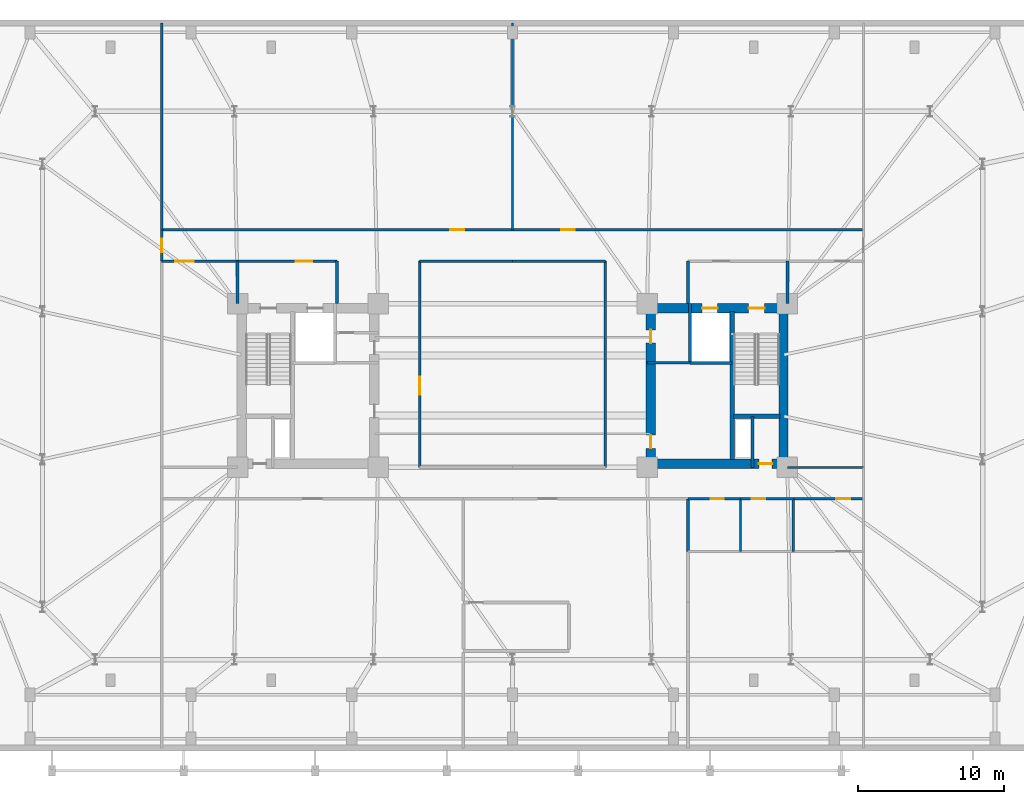
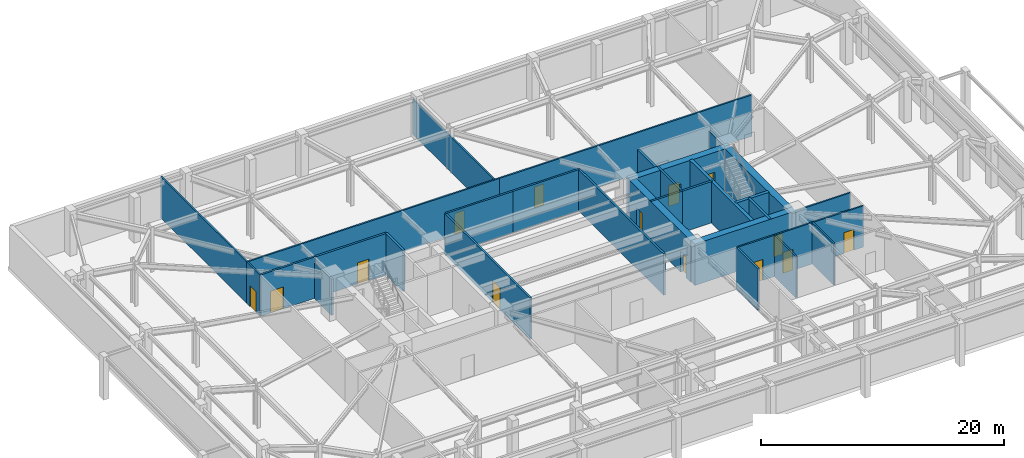
# One storey, part 10 of 14: 32 walls, 14 doors, 14 openings.
"""IFC4 building model written with IfcOpenShell, lengths in metres."""

from ifc_helpers import new_model, si_unit, direction, frame, frame_2d, origin, place, context, subcontext, project, spatial, rectangle, extrude, material, layer, layer_set, type_object, element, fill, save


model = new_model("IFC4")

# Units and contexts
model_context = context("Model", 3, precision=1e-05, world=origin(), true_north=direction((0.0, 1.0)))
body_context = subcontext(model_context, "Body", "Model", "MODEL_VIEW")
ifc_project = project(units=[si_unit("LENGTHUNIT", "METRE"), si_unit("AREAUNIT", "SQUARE_METRE"), si_unit("VOLUMEUNIT", "CUBIC_METRE"), si_unit("PLANEANGLEUNIT", "RADIAN"), si_unit("MASSUNIT", "GRAM", prefix="KILO")], contexts=[model_context])

# Site, building, storey
site_placement = place(None, origin())
site = spatial("IfcSite", under=ifc_project, at=site_placement, CompositionType="ELEMENT")
building_placement = place(site_placement, origin())
building = spatial("IfcBuilding", under=site, at=building_placement, Name="Qobustan Lattice House", CompositionType="ELEMENT")
storey_placement = place(building_placement, frame((0.0, 0.0, -4.5)))
storey = spatial("IfcBuildingStorey", under=building, at=storey_placement, Name="B01", CompositionType="ELEMENT", Elevation=-4.5)

# Wall, openings, doors
ifc_material_1 = material(Name="Concrete C60/75", Category="concrete")
ifc_layer_1 = layer(ifc_material_1, 0.639892578125)
ifc_layer_set_1 = layer_set([ifc_layer_1], Name="Concrete C60/75")
wall_type_1 = type_object("IfcWallType", Name="WAL-CORE-640", PredefinedType="SHEAR", material=ifc_layer_set_1)
wall_1_placement = place(storey_placement, frame((9.199951171875, 5.280029296875, 0.0), z_axis=(0.0, 0.0, 1.0), x_axis=(1.0, 0.0, 0.0)))
wall_1 = element("IfcWall", 1, at=wall_1_placement, inside=storey, type_object=wall_type_1, Name="B01 split-core shear wall CE-N", PredefinedType="SHEAR", context=body_context, shape_type="SweptSolid", body=[
    extrude(rectangle(XDim=9.60009765625, YDim=0.639892578125, at=frame_2d((4.800048828125, 0.0))), origin(), (0.0, 0.0, 1.0), 4.159912109375),
])
opening_1_placement = place(wall_1_placement, frame((6.949951171875, 0.0, 0.0)))
opening_1 = element("IfcOpeningElement", 2, at=opening_1_placement, cuts=wall_1, Name="Opening SD-01", PredefinedType="OPENING", context=body_context, shape_type="SweptSolid", body=[
    extrude(rectangle(XDim=1.10009765625, YDim=2.14990234375, at=frame_2d((0.550048828125, 1.074951171875))), frame((0.0, 0.329833984375, 0.0), z_axis=(0.0, -1.0, 0.0), x_axis=(1.0, 0.0, 0.0)), (0.0, 0.0, 1.0), 0.659912109375),
])
opening_2_placement = place(wall_1_placement, frame((3.77490234375, 0.0, 0.0)))
opening_2 = element("IfcOpeningElement", 3, at=opening_2_placement, cuts=wall_1, Name="Opening LD-01", PredefinedType="OPENING", context=body_context, shape_type="SweptSolid", body=[
    extrude(rectangle(XDim=1.050048828125, YDim=2.10009765625, at=frame_2d((0.52490234375, 1.050048828125))), frame((0.0, 0.329833984375, 0.0), z_axis=(0.0, -1.0, 0.0), x_axis=(1.0, 0.0, 0.0)), (0.0, 0.0, 1.0), 0.659912109375),
])
ifc_material_2 = material(Name="Persian walnut timber and steel frame door", Category="steel")
door_type_1 = type_object("IfcDoorType", Name="DOR-LIFT-LD-1050x2100", OperationType="NOTDEFINED", PredefinedType="DOOR", material=ifc_material_2)
door_1_placement = place(opening_2_placement, origin())
door_1 = element("IfcDoor", 4, at=door_1_placement, inside=storey, type_object=door_type_1, Name="B01 firefighting lift FF-E landing door", OperationType="DOUBLE_DOOR_SLIDING", OverallHeight=2.10009765625, OverallWidth=1.050048828125, PredefinedType="DOOR", context=body_context, shape_type="SweptSolid", body=[
    extrude(rectangle(XDim=1.050048828125, YDim=2.10009765625, at=frame_2d((0.52490234375, 1.050048828125))), frame((0.0, 0.02490234375, 0.0), z_axis=(0.0, -1.0, 0.0), x_axis=(1.0, 0.0, 0.0)), (0.0, 0.0, 1.0), 0.050048828125),
])
fill(opening_2, door_1)
ifc_material_3 = material(Name="Persian walnut timber and steel frame door", Category="steel")
door_type_2 = type_object("IfcDoorType", Name="DOR-STAIR-FD-1100x2150", OperationType="NOTDEFINED", PredefinedType="DOOR", material=ifc_material_3)
door_2_placement = place(opening_1_placement, origin())
door_2 = element("IfcDoor", 5, at=door_2_placement, inside=storey, type_object=door_type_2, Name="B01 exit stair ST-E1 fire door", OperationType="SINGLE_SWING_LEFT", OverallHeight=2.14990234375, OverallWidth=1.10009765625, PredefinedType="DOOR", context=body_context, shape_type="SweptSolid", body=[
    extrude(rectangle(XDim=1.10009765625, YDim=2.14990234375, at=frame_2d((0.550048828125, 1.074951171875))), frame((0.0, 0.02490234375, 0.0), z_axis=(0.0, -1.0, 0.0), x_axis=(1.0, 0.0, 0.0)), (0.0, 0.0, 1.0), 0.050048828125),
])
fill(opening_1, door_2)

# Wall, opening, door
wall_2_placement = place(storey_placement, frame((9.199951171875, -5.35009765625, 0.0), z_axis=(0.0, 0.0, 1.0), x_axis=(1.0, 0.0, 0.0)))
wall_2 = element("IfcWall", 6, at=wall_2_placement, inside=storey, type_object=wall_type_1, Name="B01 split-core shear wall CE-S", PredefinedType="SHEAR", context=body_context, shape_type="SweptSolid", body=[
    extrude(rectangle(XDim=9.60009765625, YDim=0.639892578125, at=frame_2d((4.800048828125, 0.0))), origin(), (0.0, 0.0, 1.0), 4.159912109375),
])
opening_3_placement = place(wall_2_placement, frame((7.64990234375, 0.0, 0.0)))
opening_3 = element("IfcOpeningElement", 7, at=opening_3_placement, cuts=wall_2, Name="Opening RD-01", PredefinedType="OPENING", context=body_context, shape_type="SweptSolid", body=[
    extrude(rectangle(XDim=0.89990234375, YDim=2.10009765625, at=frame_2d((0.449951171875, 1.050048828125))), frame((0.0, 0.329833984375, 0.0), z_axis=(0.0, -1.0, 0.0), x_axis=(1.0, 0.0, 0.0)), (0.0, 0.0, 1.0), 0.659912109375),
])
ifc_material_4 = material(Name="Persian walnut timber and steel frame door", Category="steel")
door_type_3 = type_object("IfcDoorType", Name="DOR-RISER-FD-900x2100", OperationType="NOTDEFINED", PredefinedType="DOOR", material=ifc_material_4)
door_3_placement = place(opening_3_placement, origin())
door_3 = element("IfcDoor", 8, at=door_3_placement, inside=storey, type_object=door_type_3, Name="B01 core service riser access door E", OperationType="SINGLE_SWING_LEFT", OverallHeight=2.10009765625, OverallWidth=0.89990234375, PredefinedType="DOOR", context=body_context, shape_type="SweptSolid", body=[
    extrude(rectangle(XDim=0.89990234375, YDim=2.10009765625, at=frame_2d((0.449951171875, 1.050048828125))), frame((0.0, 0.02490234375, 0.0), z_axis=(0.0, -1.0, 0.0), x_axis=(1.0, 0.0, 0.0)), (0.0, 0.0, 1.0), 0.050048828125),
])
fill(opening_3, door_3)

# Wall, openings, doors
wall_3_placement = place(storey_placement, frame((9.449951171875, -5.050048828125, 0.0), z_axis=(0.0, 0.0, 1.0), x_axis=(0.0, 1.0, 0.0)))
wall_3 = element("IfcWall", 9, at=wall_3_placement, inside=storey, type_object=wall_type_1, Name="B01 split-core shear wall CE-W", PredefinedType="SHEAR", context=body_context, shape_type="SweptSolid", body=[
    extrude(rectangle(XDim=10.10009765625, YDim=0.639892578125, at=frame_2d((5.050048828125, 0.0))), origin(), (0.0, 0.0, 1.0), 4.159912109375),
])
opening_4_placement = place(wall_3_placement, frame((7.949951171875, 0.0, 0.0)))
opening_4 = element("IfcOpeningElement", 10, at=opening_4_placement, cuts=wall_3, Name="Opening RD-01", PredefinedType="OPENING", context=body_context, shape_type="SweptSolid", body=[
    extrude(rectangle(XDim=0.89990234375, YDim=2.10009765625, at=frame_2d((0.449951171875, 1.050048828125))), frame((0.0, 0.329833984375, 0.0), z_axis=(0.0, -1.0, 0.0), x_axis=(1.0, 0.0, 0.0)), (0.0, 0.0, 1.0), 0.659912109375),
])
opening_5_placement = place(wall_3_placement, frame((0.75, 0.0, 0.0)))
opening_5 = element("IfcOpeningElement", 11, at=opening_5_placement, cuts=wall_3, Name="Opening RD-01", PredefinedType="OPENING", context=body_context, shape_type="SweptSolid", body=[
    extrude(rectangle(XDim=0.89990234375, YDim=2.10009765625, at=frame_2d((0.449951171875, 1.050048828125))), frame((0.0, 0.329833984375, 0.0), z_axis=(0.0, -1.0, 0.0), x_axis=(1.0, 0.0, 0.0)), (0.0, 0.0, 1.0), 0.659912109375),
])
door_4_placement = place(opening_4_placement, origin())
door_4 = element("IfcDoor", 12, at=door_4_placement, inside=storey, type_object=door_type_3, Name="B01 Housekeeping linen store fire door", OperationType="SINGLE_SWING_RIGHT", OverallHeight=2.10009765625, OverallWidth=0.89990234375, PredefinedType="DOOR", context=body_context, shape_type="SweptSolid", body=[
    extrude(rectangle(XDim=0.89990234375, YDim=2.10009765625, at=frame_2d((0.449951171875, 1.050048828125))), frame((0.0, 0.02490234375, 0.0), z_axis=(0.0, -1.0, 0.0), x_axis=(1.0, 0.0, 0.0)), (0.0, 0.0, 1.0), 0.050048828125),
])
fill(opening_4, door_4)
door_5_placement = place(opening_5_placement, origin())
door_5 = element("IfcDoor", 13, at=door_5_placement, inside=storey, type_object=door_type_3, Name="B01 Substructure sump plant room fire door", OperationType="SINGLE_SWING_LEFT", OverallHeight=2.10009765625, OverallWidth=0.89990234375, PredefinedType="DOOR", context=body_context, shape_type="SweptSolid", body=[
    extrude(rectangle(XDim=0.89990234375, YDim=2.10009765625, at=frame_2d((0.449951171875, 1.050048828125))), frame((0.0, 0.02490234375, 0.0), z_axis=(0.0, -1.0, 0.0), x_axis=(1.0, 0.0, 0.0)), (0.0, 0.0, 1.0), 0.050048828125),
])
fill(opening_5, door_5)

# Walls
wall_4_placement = place(storey_placement, frame((18.530029296875, -5.050048828125, 0.0), z_axis=(0.0, 0.0, 1.0), x_axis=(0.0, 1.0, 0.0)))
element("IfcWall", 14, at=wall_4_placement, inside=storey, type_object=wall_type_1, Name="B01 split-core shear wall CE-E", PredefinedType="SHEAR", context=body_context, shape_type="SweptSolid", body=[
    extrude(rectangle(XDim=10.10009765625, YDim=0.639892578125, at=frame_2d((5.050048828125, 0.0))), origin(), (0.0, 0.0, 1.0), 4.159912109375),
])
ifc_material_5 = material(Name="Concrete C50/60", Category="concrete")
ifc_layer_2 = layer(ifc_material_5, 0.280029296875)
ifc_layer_set_2 = layer_set([ifc_layer_2], Name="Concrete C50/60")
wall_type_2 = type_object("IfcWallType", Name="WAL-CORE-SPINE-280", PredefinedType="SHEAR", material=ifc_layer_set_2)
wall_5_placement = place(storey_placement, frame((15.02001953125, -5.050048828125, 0.0), z_axis=(0.0, 0.0, 1.0), x_axis=(0.0, 1.0, 0.0)))
element("IfcWall", 15, at=wall_5_placement, inside=storey, type_object=wall_type_2, Name="B01 split-core shear wall CE-M", PredefinedType="SHEAR", context=body_context, shape_type="SweptSolid", body=[
    extrude(rectangle(XDim=10.10009765625, YDim=0.300048828125, at=frame_2d((5.050048828125, 0.0))), origin(), (0.0, 0.0, 1.0), 4.159912109375),
])
wall_6_placement = place(storey_placement, frame((15.10009765625, -2.110107421875, 0.0), z_axis=(0.0, 0.0, 1.0), x_axis=(1.0, 0.0, 0.0)))
element("IfcWall", 16, at=wall_6_placement, inside=storey, type_object=wall_type_2, Name="B01 split-core shear wall CE-ST", PredefinedType="SHEAR", context=body_context, shape_type="SweptSolid", body=[
    extrude(rectangle(XDim=3.179931640625, YDim=0.300048828125, at=frame_2d((1.58984375, 0.0))), origin(), (0.0, 0.0, 1.0), 4.159912109375),
])
ifc_material_6 = material(Name="Gypsum fireboard acoustic partition", Category="gypsum")
ifc_layer_3 = layer(ifc_material_6, 0.179931640625)
ifc_layer_set_3 = layer_set([ifc_layer_3], Name="Gypsum fireboard acoustic partition")
wall_type_3 = type_object("IfcWallType", Name="WAL-FIRE-180", PredefinedType="PARTITIONING", material=ifc_layer_set_3)
wall_7_placement = place(storey_placement, frame((9.199951171875, 1.550048828125, 0.0), z_axis=(0.0, 0.0, 1.0), x_axis=(1.0, 0.0, 0.0)))
element("IfcWall", 17, at=wall_7_placement, inside=storey, type_object=wall_type_3, Name="B01 interior partition 16", PredefinedType="PARTITIONING", context=body_context, shape_type="SweptSolid", body=[
    extrude(rectangle(XDim=2.949951171875, YDim=0.179931640625, at=frame_2d((1.47509765625, 0.0))), origin(), (0.0, 0.0, 1.0), 4.159912109375),
])

# Wall, opening, door
wall_8_placement = place(storey_placement, frame((-18.800048828125, 8.5, 0.0), z_axis=(0.0, 0.0, 1.0), x_axis=(-1.0, 0.0, 0.0)))
wall_8 = element("IfcWall", 18, at=wall_8_placement, inside=storey, type_object=wall_type_3, Name="B01 interior partition 21", PredefinedType="PARTITIONING", context=body_context, shape_type="SweptSolid", body=[
    extrude(rectangle(XDim=5.199951171875, YDim=0.179931640625, at=frame_2d((2.60009765625, 0.0))), origin(), (0.0, 0.0, 1.0), 4.159912109375),
])
opening_6_placement = place(wall_8_placement, frame((3.021240234375, 0.0, 0.0)))
opening_6 = element("IfcOpeningElement", 19, at=opening_6_placement, cuts=wall_8, Name="Opening FD-03", PredefinedType="OPENING", context=body_context, shape_type="SweptSolid", body=[
    extrude(rectangle(XDim=1.25, YDim=2.199951171875, at=frame_2d((0.625, 1.10009765625))), frame((0.0, 0.099853515625, 0.0), z_axis=(0.0, -1.0, 0.0), x_axis=(1.0, 0.0, 0.0)), (0.0, 0.0, 1.0), 0.199951171875),
])
ifc_material_7 = material(Name="Persian walnut timber and steel frame door", Category="steel")
door_type_4 = type_object("IfcDoorType", Name="DOR-PLANT-1250x2200", OperationType="NOTDEFINED", PredefinedType="DOOR", material=ifc_material_7)
door_6_placement = place(opening_6_placement, origin())
door_6 = element("IfcDoor", 20, at=door_6_placement, inside=storey, type_object=door_type_4, Name="B01 North-west substructure corridor to West meter and telecom room door", OperationType="SINGLE_SWING_RIGHT", OverallHeight=2.199951171875, OverallWidth=1.25, PredefinedType="DOOR", context=body_context, shape_type="SweptSolid", body=[
    extrude(rectangle(XDim=1.25, YDim=2.199951171875, at=frame_2d((0.625, 1.10009765625))), frame((0.0, 0.02490234375, 0.0), z_axis=(0.0, -1.0, 0.0), x_axis=(1.0, 0.0, 0.0)), (0.0, 0.0, 1.0), 0.050048828125),
])
fill(opening_6, door_6)

# Walls
for number, where, z_axis, x_axis, name in (
    (21, (0.0, 8.5, 0.0), (0.0, 0.0, 1.0), (-1.0, 0.0, 0.0), "B01 interior partition 22"),
    (22, (6.35009765625, 8.5, 0.0), (0.0, 0.0, 1.0), (-1.0, 0.0, 0.0), "B01 interior partition 25"),
):
    element("IfcWall", number, at=place(storey_placement, frame(where, z_axis=z_axis, x_axis=x_axis)), inside=storey, type_object=wall_type_3, Name=name, PredefinedType="PARTITIONING", context=body_context, shape_type="SweptSolid", body=[
        extrude(rectangle(XDim=6.35009765625, YDim=0.179931640625, at=frame_2d((3.175048828125, 0.0))), origin(), (0.0, 0.0, 1.0), 4.159912109375),
    ])

# Wall, opening, door
wall_9_placement = place(storey_placement, frame((-6.35009765625, 8.5, 0.0), z_axis=(0.0, 0.0, 1.0), x_axis=(0.0, -1.0, 0.0)))
wall_9 = element("IfcWall", 23, at=wall_9_placement, inside=storey, type_object=wall_type_3, Name="B01 interior partition 39", PredefinedType="PARTITIONING", context=body_context, shape_type="SweptSolid", body=[
    extrude(rectangle(XDim=14.10009765625, YDim=0.179931640625, at=frame_2d((7.050048828125, 0.0))), origin(), (0.0, 0.0, 1.0), 4.159912109375),
])
opening_7_placement = place(wall_9_placement, frame((7.88623046875, 0.0, 0.0)))
opening_7 = element("IfcOpeningElement", 24, at=opening_7_placement, cuts=wall_9, Name="Opening FD-03", PredefinedType="OPENING", context=body_context, shape_type="SweptSolid", body=[
    extrude(rectangle(XDim=1.25, YDim=2.199951171875, at=frame_2d((0.625, 1.10009765625))), frame((0.0, 0.099853515625, 0.0), z_axis=(0.0, -1.0, 0.0), x_axis=(1.0, 0.0, 0.0)), (0.0, 0.0, 1.0), 0.199951171875),
])
door_7_placement = place(opening_7_placement, origin())
door_7 = element("IfcDoor", 25, at=door_7_placement, inside=storey, type_object=door_type_4, Name="B01 West substructure link corridor to Fibre telecom and BMS server room door", OperationType="SINGLE_SWING_LEFT", OverallHeight=2.199951171875, OverallWidth=1.25, PredefinedType="DOOR", context=body_context, shape_type="SweptSolid", body=[
    extrude(rectangle(XDim=1.25, YDim=2.199951171875, at=frame_2d((0.625, 1.10009765625))), frame((0.0, 0.02490234375, 0.0), z_axis=(0.0, -1.0, 0.0), x_axis=(1.0, 0.0, 0.0)), (0.0, 0.0, 1.0), 0.050048828125),
])
fill(opening_7, door_7)

# Walls
wall_10_placement = place(storey_placement, frame((6.35009765625, -5.60009765625, 0.0), z_axis=(0.0, 0.0, 1.0), x_axis=(0.0, 1.0, 0.0)))
element("IfcWall", 26, at=wall_10_placement, inside=storey, type_object=wall_type_3, Name="B01 interior partition 40", PredefinedType="PARTITIONING", context=body_context, shape_type="SweptSolid", body=[
    extrude(rectangle(XDim=14.10009765625, YDim=0.179931640625, at=frame_2d((7.050048828125, 0.0))), origin(), (0.0, 0.0, 1.0), 4.159912109375),
])
wall_11_placement = place(storey_placement, frame((12.0, -7.75, 0.0), z_axis=(0.0, 0.0, 1.0), x_axis=(0.0, -1.0, 0.0)))
element("IfcWall", 27, at=wall_11_placement, inside=storey, type_object=wall_type_3, Name="B01 interior partition 48", PredefinedType="PARTITIONING", context=body_context, shape_type="SweptSolid", body=[
    extrude(rectangle(XDim=3.60009765625, YDim=0.179931640625, at=frame_2d((1.800048828125, 0.0))), origin(), (0.0, 0.0, 1.0), 4.159912109375),
])

# Wall, opening, door
ifc_material_8 = material(Name="Acoustic twin-stud gypsum partition", Category="gypsum")
ifc_layer_4 = layer(ifc_material_8, 0.14990234375)
ifc_layer_set_4 = layer_set([ifc_layer_4], Name="Acoustic twin-stud gypsum partition")
wall_type_4 = type_object("IfcWallType", Name="WAL-PART-150", PredefinedType="PARTITIONING", material=ifc_layer_set_4)
wall_12_placement = place(storey_placement, frame((-24.0, 8.5, 0.0), z_axis=(0.0, 0.0, 1.0), x_axis=(0.0, 1.0, 0.0)))
wall_12 = element("IfcWall", 28, at=wall_12_placement, inside=storey, type_object=wall_type_4, Name="B01 interior partition 19", PredefinedType="PARTITIONING", context=body_context, shape_type="SweptSolid", body=[
    extrude(rectangle(XDim=2.14990234375, YDim=0.14990234375, at=frame_2d((1.074951171875, 0.0))), origin(), (0.0, 0.0, 1.0), 4.159912109375),
])
opening_8_placement = place(wall_12_placement, frame((0.60009765625, 0.0, 0.0)))
opening_8 = element("IfcOpeningElement", 29, at=opening_8_placement, cuts=wall_12, Name="Opening ID-01", PredefinedType="OPENING", context=body_context, shape_type="SweptSolid", body=[
    extrude(rectangle(XDim=0.949951171875, YDim=2.10009765625, at=frame_2d((0.47509765625, 1.050048828125))), frame((0.0, 0.0849609375, 0.0), z_axis=(0.0, -1.0, 0.0), x_axis=(1.0, 0.0, 0.0)), (0.0, 0.0, 1.0), 0.169921875),
])
ifc_material_9 = material(Name="Persian walnut timber and steel frame door", Category="steel")
door_type_5 = type_object("IfcDoorType", Name="DOR-ROOM-950x2100", OperationType="NOTDEFINED", PredefinedType="DOOR", material=ifc_material_9)
door_8_placement = place(opening_8_placement, origin())
door_8 = element("IfcDoor", 30, at=door_8_placement, inside=storey, type_object=door_type_5, Name="B01 North-west substructure corridor to Student bicycle parking store door", OperationType="SINGLE_SWING_RIGHT", OverallHeight=2.10009765625, OverallWidth=0.949951171875, PredefinedType="DOOR", context=body_context, shape_type="SweptSolid", body=[
    extrude(rectangle(XDim=0.949951171875, YDim=2.10009765625, at=frame_2d((0.47509765625, 1.050048828125))), frame((0.0, 0.02490234375, 0.0), z_axis=(0.0, -1.0, 0.0), x_axis=(1.0, 0.0, 0.0)), (0.0, 0.0, 1.0), 0.050048828125),
])
fill(opening_8, door_8)

wall_13_placement = place(storey_placement, frame((-24.0, 10.64990234375, 0.0), z_axis=(0.0, 0.0, 1.0), x_axis=(1.0, 0.0, 0.0)))
wall_13 = element("IfcWall", 31, at=wall_13_placement, inside=storey, type_object=wall_type_4, Name="B01 interior partition 20", PredefinedType="PARTITIONING", context=body_context, shape_type="SweptSolid", body=[
    extrude(rectangle(XDim=24.0, YDim=0.14990234375, at=frame_2d((12.0, 0.0))), origin(), (0.0, 0.0, 1.0), 4.159912109375),
])
opening_9_placement = place(wall_13_placement, frame((19.73388671875, 0.0, 0.0)))
opening_9 = element("IfcOpeningElement", 32, at=opening_9_placement, cuts=wall_13, Name="Opening ID-01", PredefinedType="OPENING", context=body_context, shape_type="SweptSolid", body=[
    extrude(rectangle(XDim=0.949951171875, YDim=2.10009765625, at=frame_2d((0.47509765625, 1.050048828125))), frame((0.0, 0.0849609375, 0.0), z_axis=(0.0, -1.0, 0.0), x_axis=(1.0, 0.0, 0.0)), (0.0, 0.0, 1.0), 0.169921875),
])
door_9_placement = place(opening_9_placement, origin())
door_9 = element("IfcDoor", 33, at=door_9_placement, inside=storey, type_object=door_type_5, Name="B01 North-west substructure corridor to Bicycle repair and locker workshop door", OperationType="SINGLE_SWING_LEFT", OverallHeight=2.10009765625, OverallWidth=0.949951171875, PredefinedType="DOOR", context=body_context, shape_type="SweptSolid", body=[
    extrude(rectangle(XDim=0.949951171875, YDim=2.10009765625, at=frame_2d((0.47509765625, 1.050048828125))), frame((0.0, 0.02490234375, 0.0), z_axis=(0.0, -1.0, 0.0), x_axis=(1.0, 0.0, 0.0)), (0.0, 0.0, 1.0), 0.050048828125),
])
fill(opening_9, door_9)

wall_14_placement = place(storey_placement, frame((0.0, 10.64990234375, 0.0), z_axis=(0.0, 0.0, 1.0), x_axis=(1.0, 0.0, 0.0)))
wall_14 = element("IfcWall", 34, at=wall_14_placement, inside=storey, type_object=wall_type_4, Name="B01 interior partition 23", PredefinedType="PARTITIONING", context=body_context, shape_type="SweptSolid", body=[
    extrude(rectangle(XDim=24.0, YDim=0.14990234375, at=frame_2d((12.0, 0.0))), origin(), (0.0, 0.0, 1.0), 4.159912109375),
])
opening_10_placement = place(wall_14_placement, frame((3.316162109375, 0.0, 0.0)))
opening_10 = element("IfcOpeningElement", 35, at=opening_10_placement, cuts=wall_14, Name="Opening ID-01", PredefinedType="OPENING", context=body_context, shape_type="SweptSolid", body=[
    extrude(rectangle(XDim=0.949951171875, YDim=2.10009765625, at=frame_2d((0.47509765625, 1.050048828125))), frame((0.0, 0.0849609375, 0.0), z_axis=(0.0, -1.0, 0.0), x_axis=(1.0, 0.0, 0.0)), (0.0, 0.0, 1.0), 0.169921875),
])
door_10_placement = place(opening_10_placement, origin())
door_10 = element("IfcDoor", 36, at=door_10_placement, inside=storey, type_object=door_type_5, Name="B01 North-east substructure corridor to Central bulk laundry plant door", OperationType="SINGLE_SWING_LEFT", OverallHeight=2.10009765625, OverallWidth=0.949951171875, PredefinedType="DOOR", context=body_context, shape_type="SweptSolid", body=[
    extrude(rectangle(XDim=0.949951171875, YDim=2.10009765625, at=frame_2d((0.47509765625, 1.050048828125))), frame((0.0, 0.02490234375, 0.0), z_axis=(0.0, -1.0, 0.0), x_axis=(1.0, 0.0, 0.0)), (0.0, 0.0, 1.0), 0.050048828125),
])
fill(opening_10, door_10)

# Wall
wall_15_placement = place(storey_placement, frame((18.800048828125, -5.60009765625, 0.0), z_axis=(0.0, 0.0, 1.0), x_axis=(1.0, 0.0, 0.0)))
element("IfcWall", 37, at=wall_15_placement, inside=storey, type_object=wall_type_4, Name="B01 interior partition 33", PredefinedType="PARTITIONING", context=body_context, shape_type="SweptSolid", body=[
    extrude(rectangle(XDim=5.199951171875, YDim=0.14990234375, at=frame_2d((2.60009765625, 0.0))), origin(), (0.0, 0.0, 1.0), 4.159912109375),
])

# Wall, opening, door
wall_16_placement = place(storey_placement, frame((24.0, -7.75, 0.0), z_axis=(0.0, 0.0, 1.0), x_axis=(-1.0, 0.0, 0.0)))
wall_16 = element("IfcWall", 38, at=wall_16_placement, inside=storey, type_object=wall_type_4, Name="B01 interior partition 38", PredefinedType="PARTITIONING", context=body_context, shape_type="SweptSolid", body=[
    extrude(rectangle(XDim=4.800048828125, YDim=0.14990234375, at=frame_2d((2.39990234375, 0.0))), origin(), (0.0, 0.0, 1.0), 4.159912109375),
])
opening_11_placement = place(wall_16_placement, frame((0.916259765625, 0.0, 0.0)))
opening_11 = element("IfcOpeningElement", 39, at=opening_11_placement, cuts=wall_16, Name="Opening ID-01", PredefinedType="OPENING", context=body_context, shape_type="SweptSolid", body=[
    extrude(rectangle(XDim=0.949951171875, YDim=2.10009765625, at=frame_2d((0.47509765625, 1.050048828125))), frame((0.0, 0.0849609375, 0.0), z_axis=(0.0, -1.0, 0.0), x_axis=(1.0, 0.0, 0.0)), (0.0, 0.0, 1.0), 0.169921875),
])
door_11_placement = place(opening_11_placement, origin())
door_11 = element("IfcDoor", 40, at=door_11_placement, inside=storey, type_object=door_type_5, Name="B01 South-east substructure corridor to Janitor supply store door", OperationType="SINGLE_SWING_RIGHT", OverallHeight=2.10009765625, OverallWidth=0.949951171875, PredefinedType="DOOR", context=body_context, shape_type="SweptSolid", body=[
    extrude(rectangle(XDim=0.949951171875, YDim=2.10009765625, at=frame_2d((0.47509765625, 1.050048828125))), frame((0.0, 0.02490234375, 0.0), z_axis=(0.0, -1.0, 0.0), x_axis=(1.0, 0.0, 0.0)), (0.0, 0.0, 1.0), 0.050048828125),
])
fill(opening_11, door_11)

# Walls
wall_17_placement = place(storey_placement, frame((-24.0, 24.800048828125, 0.0), z_axis=(0.0, 0.0, 1.0), x_axis=(0.0, -1.0, 0.0)))
element("IfcWall", 41, at=wall_17_placement, inside=storey, type_object=wall_type_4, Name="B01 interior partition 41", PredefinedType="PARTITIONING", context=body_context, shape_type="SweptSolid", body=[
    extrude(rectangle(XDim=14.150146484375, YDim=0.14990234375, at=frame_2d((7.0751953125, 0.0))), origin(), (0.0, 0.0, 1.0), 4.159912109375),
])
wall_18_placement = place(storey_placement, frame((0.0, 24.800048828125, 0.0), z_axis=(0.0, 0.0, 1.0), x_axis=(0.0, -1.0, 0.0)))
element("IfcWall", 42, at=wall_18_placement, inside=storey, type_object=wall_type_4, Name="B01 interior partition 44", PredefinedType="PARTITIONING", context=body_context, shape_type="SweptSolid", body=[
    extrude(rectangle(XDim=14.150146484375, YDim=0.14990234375, at=frame_2d((7.0751953125, 0.0))), origin(), (0.0, 0.0, 1.0), 3.544921875),
])

# Wall, opening, door
ifc_material_10 = material(Name="Two-hour gypsum fireboard acoustic partition", Category="gypsum")
ifc_layer_5 = layer(ifc_material_10, 0.199951171875)
ifc_layer_set_5 = layer_set([ifc_layer_5], Name="Two-hour gypsum fireboard acoustic partition")
wall_type_5 = type_object("IfcWallType", Name="WAL-PROT-200", PredefinedType="PARTITIONING", material=ifc_layer_set_5)
wall_19_placement = place(storey_placement, frame((-12.0, 8.5, 0.0), z_axis=(0.0, 0.0, 1.0), x_axis=(-1.0, 0.0, 0.0)))
wall_19 = element("IfcWall", 43, at=wall_19_placement, inside=storey, type_object=wall_type_5, Name="B01 interior partition 4", PredefinedType="PARTITIONING", context=body_context, shape_type="SweptSolid", body=[
    extrude(rectangle(XDim=6.800048828125, YDim=0.199951171875, at=frame_2d((3.39990234375, 0.0))), origin(), (0.0, 0.0, 1.0), 4.159912109375),
])
opening_12_placement = place(wall_19_placement, frame((1.715087890625, 0.0, 0.0)))
opening_12 = element("IfcOpeningElement", 44, at=opening_12_placement, cuts=wall_19, Name="Opening SD-01", PredefinedType="OPENING", context=body_context, shape_type="SweptSolid", body=[
    extrude(rectangle(XDim=1.10009765625, YDim=2.14990234375, at=frame_2d((0.550048828125, 1.074951171875))), frame((0.0, 0.10986328125, 0.0), z_axis=(0.0, -1.0, 0.0), x_axis=(1.0, 0.0, 0.0)), (0.0, 0.0, 1.0), 0.219970703125),
])
door_12_placement = place(opening_12_placement, origin())
door_12 = element("IfcDoor", 45, at=door_12_placement, inside=storey, type_object=door_type_2, Name="B01 West firefighting lift lobby to North-west substructure corridor door", OperationType="SINGLE_SWING_LEFT", OverallHeight=2.14990234375, OverallWidth=1.10009765625, PredefinedType="DOOR", context=body_context, shape_type="SweptSolid", body=[
    extrude(rectangle(XDim=1.10009765625, YDim=2.14990234375, at=frame_2d((0.550048828125, 1.074951171875))), frame((0.0, 0.02490234375, 0.0), z_axis=(0.0, -1.0, 0.0), x_axis=(1.0, 0.0, 0.0)), (0.0, 0.0, 1.0), 0.050048828125),
])
fill(opening_12, door_12)

# Walls
wall_20_placement = place(storey_placement, frame((-12.0, 5.60009765625, 0.0), z_axis=(0.0, 0.0, 1.0), x_axis=(0.0, 1.0, 0.0)))
element("IfcWall", 46, at=wall_20_placement, inside=storey, type_object=wall_type_5, Name="B01 interior partition 5", PredefinedType="PARTITIONING", context=body_context, shape_type="SweptSolid", body=[
    extrude(rectangle(XDim=2.89990234375, YDim=0.199951171875, at=frame_2d((1.449951171875, 0.0))), origin(), (0.0, 0.0, 1.0), 4.159912109375),
])
wall_21_placement = place(storey_placement, frame((-18.800048828125, 8.5, 0.0), z_axis=(0.0, 0.0, 1.0), x_axis=(0.0, -1.0, 0.0)))
element("IfcWall", 47, at=wall_21_placement, inside=storey, type_object=wall_type_5, Name="B01 interior partition 6", PredefinedType="PARTITIONING", context=body_context, shape_type="SweptSolid", body=[
    extrude(rectangle(XDim=2.89990234375, YDim=0.199951171875, at=frame_2d((1.449951171875, 0.0))), origin(), (0.0, 0.0, 1.0), 3.64501953125),
])
wall_22_placement = place(storey_placement, frame((12.0, 8.5, 0.0), z_axis=(0.0, 0.0, 1.0), x_axis=(0.0, -1.0, 0.0)))
element("IfcWall", 48, at=wall_22_placement, inside=storey, type_object=wall_type_5, Name="B01 interior partition 14", PredefinedType="PARTITIONING", context=body_context, shape_type="SweptSolid", body=[
    extrude(rectangle(XDim=2.89990234375, YDim=0.199951171875, at=frame_2d((1.449951171875, 0.0))), origin(), (0.0, 0.0, 1.0), 4.159912109375),
])
wall_23_placement = place(storey_placement, frame((18.800048828125, 5.60009765625, 0.0), z_axis=(0.0, 0.0, 1.0), x_axis=(0.0, 1.0, 0.0)))
element("IfcWall", 49, at=wall_23_placement, inside=storey, type_object=wall_type_5, Name="B01 interior partition 15", PredefinedType="PARTITIONING", context=body_context, shape_type="SweptSolid", body=[
    extrude(rectangle(XDim=2.89990234375, YDim=0.199951171875, at=frame_2d((1.449951171875, 0.0))), origin(), (0.0, 0.0, 1.0), 3.64501953125),
])
ifc_material_11 = material(Name="Concrete C40/50", Category="concrete")
ifc_layer_6 = layer(ifc_material_11, 0.199951171875)
ifc_layer_set_6 = layer_set([ifc_layer_6], Name="Concrete C40/50")
wall_type_6 = type_object("IfcWallType", Name="WAL-SHAFT-200", PredefinedType="PARTITIONING", material=ifc_layer_set_6)
wall_24_placement = place(storey_placement, frame((16.39990234375, -2.110107421875, 0.0), z_axis=(0.0, 0.0, 1.0), x_axis=(0.0, -1.0, 0.0)))
element("IfcWall", 50, at=wall_24_placement, inside=storey, type_object=wall_type_6, Name="B01 interior partition 11", PredefinedType="PARTITIONING", context=body_context, shape_type="SweptSolid", body=[
    extrude(rectangle(XDim=3.489990234375, YDim=0.199951171875, at=frame_2d((1.7451171875, 0.0))), origin(), (0.0, 0.0, 1.0), 4.159912109375),
])
wall_25_placement = place(storey_placement, frame((12.14990234375, 5.60009765625, 0.0), z_axis=(0.0, 0.0, 1.0), x_axis=(0.0, -1.0, 0.0)))
element("IfcWall", 51, at=wall_25_placement, inside=storey, type_object=wall_type_6, Name="B01 interior partition 12", PredefinedType="PARTITIONING", context=body_context, shape_type="SweptSolid", body=[
    extrude(rectangle(XDim=4.050048828125, YDim=0.199951171875, at=frame_2d((2.02490234375, 0.0))), origin(), (0.0, 0.0, 1.0), 4.159912109375),
])
wall_26_placement = place(storey_placement, frame((12.14990234375, 1.550048828125, 0.0), z_axis=(0.0, 0.0, 1.0), x_axis=(1.0, 0.0, 0.0)))
element("IfcWall", 52, at=wall_26_placement, inside=storey, type_object=wall_type_6, Name="B01 interior partition 61", PredefinedType="PARTITIONING", context=body_context, shape_type="SweptSolid", body=[
    extrude(rectangle(XDim=2.8701171875, YDim=0.199951171875, at=frame_2d((1.43505859375, 0.0))), origin(), (0.0, 0.0, 1.0), 4.159912109375),
])

# Wall, opening, door
ifc_material_12 = material(Name="Moisture-resistant acoustic plumbing wall", Category="gypsum")
ifc_layer_7 = layer(ifc_material_12, 0.14990234375)
ifc_layer_set_7 = layer_set([ifc_layer_7], Name="Moisture-resistant acoustic plumbing wall")
wall_type_7 = type_object("IfcWallType", Name="WAL-WET-150", PredefinedType="PLUMBINGWALL", material=ifc_layer_set_7)
wall_27_placement = place(storey_placement, frame((15.60009765625, -7.75, 0.0), z_axis=(0.0, 0.0, 1.0), x_axis=(-1.0, 0.0, 0.0)))
wall_27 = element("IfcWall", 53, at=wall_27_placement, inside=storey, type_object=wall_type_7, Name="B01 interior partition 36", PredefinedType="PLUMBINGWALL", context=body_context, shape_type="SweptSolid", body=[
    extrude(rectangle(XDim=3.60009765625, YDim=0.14990234375, at=frame_2d((1.800048828125, 0.0))), origin(), (0.0, 0.0, 1.0), 4.159912109375),
])
opening_13_placement = place(wall_27_placement, frame((1.157470703125, 0.0, 0.0)))
opening_13 = element("IfcOpeningElement", 54, at=opening_13_placement, cuts=wall_27, Name="Opening WD-01", PredefinedType="OPENING", context=body_context, shape_type="SweptSolid", body=[
    extrude(rectangle(XDim=0.89990234375, YDim=2.10009765625, at=frame_2d((0.449951171875, 1.050048828125))), frame((0.0, 0.0849609375, 0.0), z_axis=(0.0, -1.0, 0.0), x_axis=(1.0, 0.0, 0.0)), (0.0, 0.0, 1.0), 0.169921875),
])
ifc_material_13 = material(Name="Persian walnut timber and steel frame door", Category="steel")
door_type_6 = type_object("IfcDoorType", Name="DOR-WET-900x2100", OperationType="NOTDEFINED", PredefinedType="DOOR", material=ifc_material_13)
door_13_placement = place(opening_13_placement, origin())
door_13 = element("IfcDoor", 55, at=door_13_placement, inside=storey, type_object=door_type_6, Name="B01 South-east substructure corridor to Public WC door", OperationType="SINGLE_SWING_RIGHT", OverallHeight=2.10009765625, OverallWidth=0.89990234375, PredefinedType="DOOR", context=body_context, shape_type="SweptSolid", body=[
    extrude(rectangle(XDim=0.89990234375, YDim=2.10009765625, at=frame_2d((0.449951171875, 1.050048828125))), frame((0.0, 0.02490234375, 0.0), z_axis=(0.0, -1.0, 0.0), x_axis=(1.0, 0.0, 0.0)), (0.0, 0.0, 1.0), 0.050048828125),
])
fill(opening_13, door_13)

wall_28_placement = place(storey_placement, frame((19.199951171875, -7.75, 0.0), z_axis=(0.0, 0.0, 1.0), x_axis=(-1.0, 0.0, 0.0)))
wall_28 = element("IfcWall", 56, at=wall_28_placement, inside=storey, type_object=wall_type_7, Name="B01 interior partition 37", PredefinedType="PLUMBINGWALL", context=body_context, shape_type="SweptSolid", body=[
    extrude(rectangle(XDim=3.599853515625, YDim=0.14990234375, at=frame_2d((1.7998046875, 0.0))), origin(), (0.0, 0.0, 1.0), 4.159912109375),
])
opening_14_placement = place(wall_28_placement, frame((1.927490234375, 0.0, 0.0)))
opening_14 = element("IfcOpeningElement", 57, at=opening_14_placement, cuts=wall_28, Name="Opening WD-01", PredefinedType="OPENING", context=body_context, shape_type="SweptSolid", body=[
    extrude(rectangle(XDim=0.89990234375, YDim=2.10009765625, at=frame_2d((0.449951171875, 1.050048828125))), frame((0.0, 0.0849609375, 0.0), z_axis=(0.0, -1.0, 0.0), x_axis=(1.0, 0.0, 0.0)), (0.0, 0.0, 1.0), 0.169921875),
])
door_14_placement = place(opening_14_placement, origin())
door_14 = element("IfcDoor", 58, at=door_14_placement, inside=storey, type_object=door_type_6, Name="B01 South-east substructure corridor to Accessible WC door", OperationType="SINGLE_SWING_LEFT", OverallHeight=2.10009765625, OverallWidth=0.89990234375, PredefinedType="DOOR", context=body_context, shape_type="SweptSolid", body=[
    extrude(rectangle(XDim=0.89990234375, YDim=2.10009765625, at=frame_2d((0.449951171875, 1.050048828125))), frame((0.0, 0.02490234375, 0.0), z_axis=(0.0, -1.0, 0.0), x_axis=(1.0, 0.0, 0.0)), (0.0, 0.0, 1.0), 0.050048828125),
])
fill(opening_14, door_14)

# Walls
for number, where, z_axis, x_axis, name in (
    (59, (15.60009765625, -7.75, 0.0), (0.0, 0.0, 1.0), (0.0, -1.0, 0.0), "B01 interior partition 55"),
    (60, (19.199951171875, -7.75, 0.0), (0.0, 0.0, 1.0), (0.0, -1.0, 0.0), "B01 interior partition 57"),
):
    element("IfcWall", number, at=place(storey_placement, frame(where, z_axis=z_axis, x_axis=x_axis)), inside=storey, type_object=wall_type_7, Name=name, PredefinedType="PLUMBINGWALL", context=body_context, shape_type="SweptSolid", body=[
        extrude(rectangle(XDim=3.60009765625, YDim=0.14990234375, at=frame_2d((1.800048828125, 0.0))), origin(), (0.0, 0.0, 1.0), 4.159912109375),
    ])

save(model, "model.ifc")
